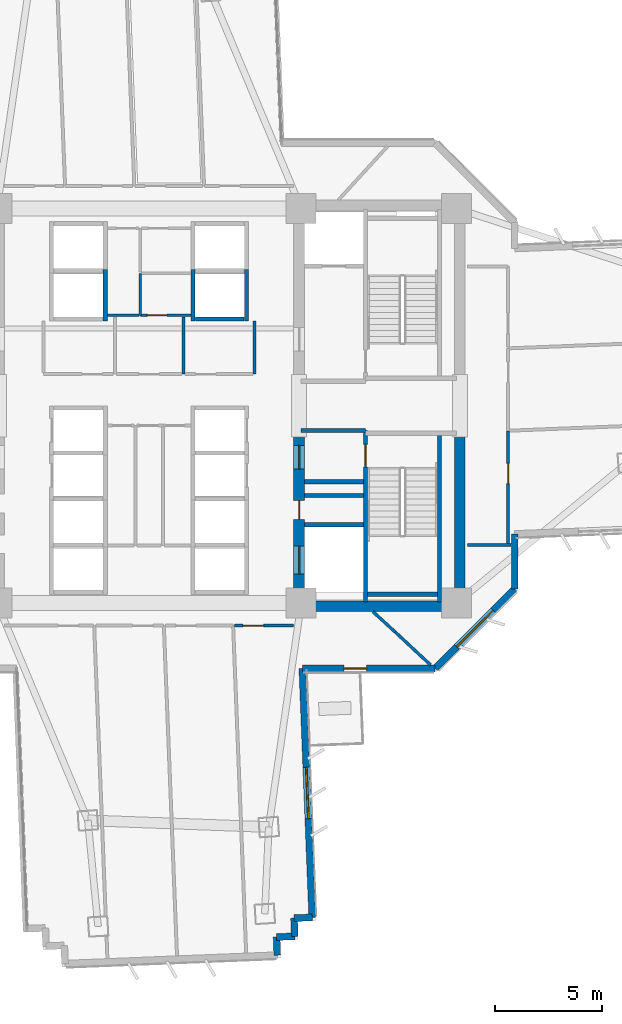
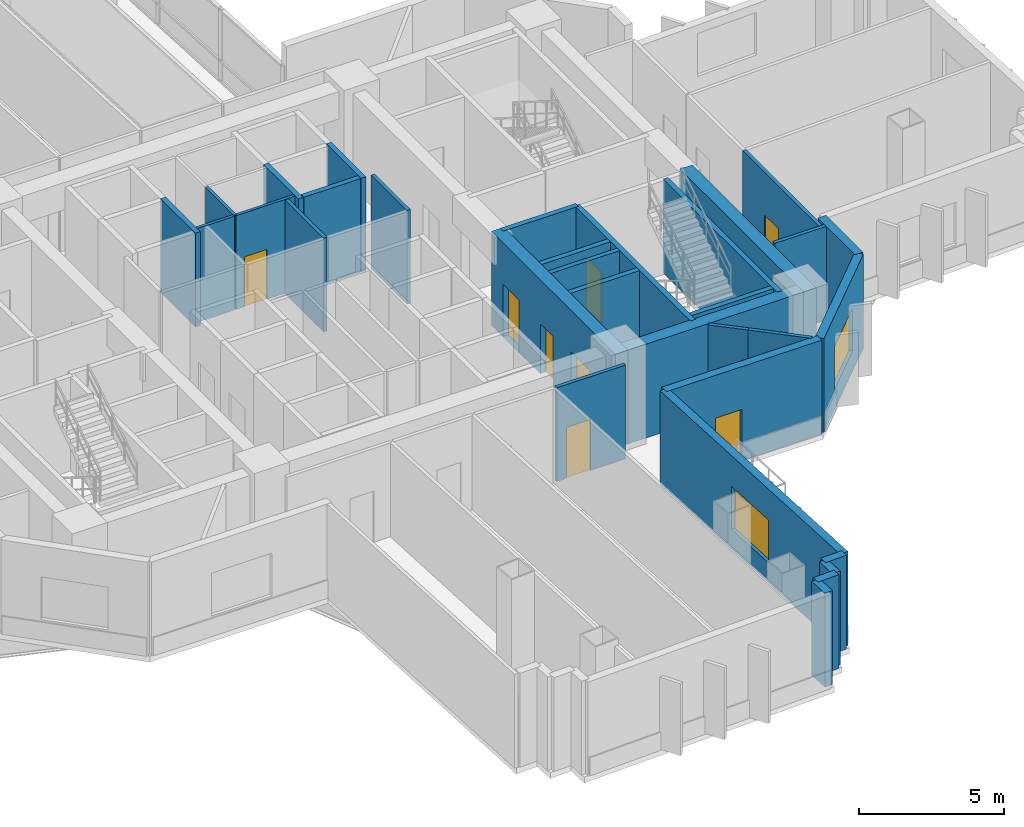
# One storey, part 8 of 16: 32 walls, 8 doors, 2 windows, 10 openings.
"""IFC4 building model written with IfcOpenShell, lengths in metres."""

import ifcopenshell
import ifcopenshell.guid

model = None  # the IFC model being written
_history = None  # IfcOwnerHistory: only IFC2X3 demands one
_inside = {}  # id of a spatial element -> (the spatial element, [elements in it])
_under = {}  # id of a project, library or spatial element -> (it, [spatial elements below it])
_declared = {}  # id of a project -> (the project, [libraries it declares])
_typed = {}  # id of a type object -> (the type object, [elements of that type])
_made_of = {}  # id of a material, layer set ... -> (it, [elements and type objects made of it])


def new_model(schema):
    """Start an empty IFC model of exactly this schema.

    Asked for "IFC4X3", IfcOpenShell would pick the latest addendum, in which some entities
    have other attributes; the version numbers below select the first issue.
    IFC2X3 requires an IfcOwnerHistory on every rooted entity: one is made here for all.
    """
    global model, _history
    if schema == "IFC4X3":
        model = ifcopenshell.file(schema_version=(4, 3, 0, 0))
    else:
        model = ifcopenshell.file(schema=schema)
    _inside.clear()
    _under.clear()
    _declared.clear()
    _typed.clear()
    _made_of.clear()
    _history = None
    if model.schema == "IFC2X3":
        org = make("IfcOrganization", Name="unknown")
        user = make(
            "IfcPersonAndOrganization",
            ThePerson=make("IfcPerson", FamilyName="unknown"),
            TheOrganization=org,
        )
        app = make(
            "IfcApplication",
            ApplicationDeveloper=org,
            Version="unknown",
            ApplicationFullName="unknown",
            ApplicationIdentifier="unknown",
        )
        _history = make(
            "IfcOwnerHistory",
            OwningUser=user,
            OwningApplication=app,
            ChangeAction="ADDED",
            CreationDate=0,
        )
    return model


def make(cls, **values):
    """One entity of the class cls with the attributes given. An attribute that is None is left unset."""
    return model.create_entity(
        cls, **{name: value for name, value in values.items() if value is not None}
    )


def rooted(cls, **values):
    """An entity with a GlobalId (a new one), such as an element, a storey or a relation."""
    return make(cls, GlobalId=ifcopenshell.guid.new(), OwnerHistory=_history, **values)


def si_unit(unit_type, name, prefix=None):
    """IfcSIUnit, for example si_unit("LENGTHUNIT", "METRE", prefix="MILLI")."""
    return make("IfcSIUnit", UnitType=unit_type, Prefix=prefix, Name=name)


def assignment(units):
    """IfcUnitAssignment: the units of a project."""
    return None if units is None else make("IfcUnitAssignment", Units=units)


def point(xyz):
    """IfcCartesianPoint."""
    return None if xyz is None else make("IfcCartesianPoint", Coordinates=xyz)


def direction(xyz):
    """IfcDirection."""
    return None if xyz is None else make("IfcDirection", DirectionRatios=xyz)


def frame(location, z_axis=None, x_axis=None):
    """IfcAxis2Placement3D, a coordinate frame: its origin and axes. An axis left out is left unset."""
    return make(
        "IfcAxis2Placement3D",
        Location=point(location),
        Axis=direction(z_axis),
        RefDirection=direction(x_axis),
    )


def frame_2d(location, x_axis=None):
    """IfcAxis2Placement2D, a coordinate frame in the plane: its origin and x axis."""
    return make(
        "IfcAxis2Placement2D", Location=point(location), RefDirection=direction(x_axis)
    )


def origin():
    """The frame at (0, 0, 0) with its axes left unset."""
    return frame((0.0, 0.0, 0.0))


def place(relative_to, where):
    """IfcLocalPlacement: puts the frame where relative to a parent placement (None: the world)."""
    return make(
        "IfcLocalPlacement", PlacementRelTo=relative_to, RelativePlacement=where
    )


def context(
    kind, dimensions, precision=None, world=None, true_north=None, identifier=None
):
    """IfcGeometricRepresentationContext, for example the 3D "Model" context."""
    return make(
        "IfcGeometricRepresentationContext",
        ContextIdentifier=identifier,
        ContextType=kind,
        CoordinateSpaceDimension=dimensions,
        Precision=precision,
        WorldCoordinateSystem=world,
        TrueNorth=true_north,
    )


def subcontext(parent, identifier, kind, view, scale=None):
    """IfcGeometricRepresentationSubContext, for example "Body" below "Model"."""
    return make(
        "IfcGeometricRepresentationSubContext",
        ContextIdentifier=identifier,
        ContextType=kind,
        ParentContext=parent,
        TargetScale=scale,
        TargetView=view,
    )


def project(units=None, contexts=None):
    """IfcProject with its units and contexts."""
    return rooted(
        "IfcProject",
        Name="project",
        RepresentationContexts=contexts,
        UnitsInContext=assignment(units),
    )


def spatial(cls, under=None, at=None, **own):
    """A site, building, storey or space (cls), placed at a placement, below another one or the project."""
    s = rooted(cls, ObjectPlacement=at, **own)
    if under is not None:
        _under.setdefault(under.id(), (under, []))[1].append(s)
    return s


def profile(cls, at=None, kind="AREA", **sizes):
    """A parametric profile (cls). Its sizes go by their IFC names, for example OverallWidth=200.0."""
    return make(cls, ProfileType=kind, Position=at, **sizes)


def rectangle(**sizes):
    """IfcRectangleProfileDef."""
    return profile("IfcRectangleProfileDef", **sizes)


def extrude(swept, where, along, depth):
    """IfcExtrudedAreaSolid: the profile swept, set in the frame where, extruded along a direction by depth."""
    return make(
        "IfcExtrudedAreaSolid",
        SweptArea=swept,
        Position=where,
        ExtrudedDirection=direction(along),
        Depth=depth,
    )


def shape(context_of_items, identifier, shape_type, items):
    """IfcShapeRepresentation: the items that make up one representation, for example the "Body"."""
    return make(
        "IfcShapeRepresentation",
        ContextOfItems=context_of_items,
        RepresentationIdentifier=identifier,
        RepresentationType=shape_type,
        Items=items,
    )


def source(mapping_origin, context_of_items, identifier, shape_type, items):
    """IfcRepresentationMap: a shape defined once, which mapped items show again and again."""
    return make(
        "IfcRepresentationMap",
        MappingOrigin=mapping_origin,
        MappedRepresentation=shape(context_of_items, identifier, shape_type, items),
    )


def transform(
    local_origin,
    x_axis=None,
    y_axis=None,
    z_axis=None,
    scale=None,
    scale2=None,
    scale3=None,
    uniform=True,
):
    """IfcCartesianTransformationOperator3D, or its non-uniform kind. x_axis, y_axis, z_axis: its Axis1, 2, 3."""
    if uniform:
        return make(
            "IfcCartesianTransformationOperator3D",
            Axis1=direction(x_axis),
            Axis2=direction(y_axis),
            LocalOrigin=point(local_origin),
            Scale=scale,
            Axis3=direction(z_axis),
        )
    return make(
        "IfcCartesianTransformationOperator3DnonUniform",
        Axis1=direction(x_axis),
        Axis2=direction(y_axis),
        LocalOrigin=point(local_origin),
        Scale=scale,
        Axis3=direction(z_axis),
        Scale2=scale2,
        Scale3=scale3,
    )


def mapped(mapping_source, mapping_target):
    """IfcMappedItem: shows the shape of a source again, moved by a transform."""
    return make(
        "IfcMappedItem", MappingSource=mapping_source, MappingTarget=mapping_target
    )


def material(Name=None, Category=None):
    """IfcMaterial."""
    return make("IfcMaterial", Name=Name, Category=Category)


def layer(
    of_material, thickness, ventilated=None, Name=None, Category=None, Priority=None
):
    """IfcMaterialLayer: one layer of a wall or slab, of a material (None: an air gap)."""
    return make(
        "IfcMaterialLayer",
        Material=of_material,
        LayerThickness=thickness,
        IsVentilated=ventilated,
        Name=Name,
        Category=Category,
        Priority=Priority,
    )


def layer_set(layers, Name=None):
    """IfcMaterialLayerSet."""
    return make("IfcMaterialLayerSet", MaterialLayers=layers, LayerSetName=Name)


def made_of(thing, what):
    """Note that an element or type object is made of a material, layer set ...; save() writes the relation."""
    if what is not None:
        _made_of.setdefault(what.id(), (what, []))[1].append(thing)
    return thing


def type_object(cls, material=None, **own):
    """A type object (cls), such as IfcWallType, which elements share."""
    return made_of(rooted(cls, **own), material)


def element(
    cls,
    number,
    at=None,
    inside=None,
    cuts=None,
    type_object=None,
    material=None,
    context=None,
    identifier="Body",
    shape_type=None,
    held_by="IfcProductDefinitionShape",
    body=None,
    shapes=None,
    **own,
):
    """One element of the class cls, such as IfcWall. Its Tag is "e" and its number.

    at: its placement. inside: the storey or other place that contains it. cuts: it is an
    opening in that element (IfcRelVoidsElement). A single representation is given by context,
    identifier, shape_type and body (its items); several are given by shapes. held_by: the class
    of the entity that holds the representations. save() writes the other relations.
    """
    e = rooted(cls, Tag="e%d" % number, ObjectPlacement=at, **own)
    if body is not None:
        shapes = [shape(context, identifier, shape_type, body)]
    if shapes is not None:
        e.Representation = make(held_by, Representations=shapes)
    if inside is not None:
        _inside.setdefault(inside.id(), (inside, []))[1].append(e)
    if cuts is not None:
        rooted(
            "IfcRelVoidsElement", RelatingBuildingElement=cuts, RelatedOpeningElement=e
        )
    if type_object is not None:
        _typed.setdefault(type_object.id(), (type_object, []))[1].append(e)
    return made_of(e, material)


def fill(opening, filler):
    """IfcRelFillsElement: the door or window that sits in an opening."""
    return rooted(
        "IfcRelFillsElement",
        RelatingOpeningElement=opening,
        RelatedBuildingElement=filler,
    )


def aggregate(whole, parts):
    """IfcRelAggregates: a whole, such as a stair, and the parts it consists of."""
    return rooted("IfcRelAggregates", RelatingObject=whole, RelatedObjects=parts)


def save(model, path):
    """Write the relations noted so far, then the file.

    IfcRelAggregates (storeys below a building ...), IfcRelContainedInSpatialStructure (elements
    in a storey), IfcRelDefinesByType, IfcRelAssociatesMaterial and IfcRelDeclares: one each for
    every whole, place, type object, material and project.
    """
    for whole, parts in _under.values():
        aggregate(whole, parts)
    for where, things in _inside.values():
        rooted(
            "IfcRelContainedInSpatialStructure",
            RelatedElements=things,
            RelatingStructure=where,
        )
    for kind, things in _typed.values():
        rooted("IfcRelDefinesByType", RelatedObjects=things, RelatingType=kind)
    for what, things in _made_of.values():
        rooted("IfcRelAssociatesMaterial", RelatedObjects=things, RelatingMaterial=what)
    for by, libraries in _declared.values():
        rooted("IfcRelDeclares", RelatingContext=by, RelatedDefinitions=libraries)
    model.write(path)


model = new_model("IFC4")

# Units and contexts
model_context = context("Model", 3, precision=1e-05, world=origin(), true_north=direction((0.0, 1.0)))
body_context = subcontext(model_context, "Body", "Model", "MODEL_VIEW")
ifc_project = project(units=[si_unit("LENGTHUNIT", "METRE"), si_unit("AREAUNIT", "SQUARE_METRE"), si_unit("VOLUMEUNIT", "CUBIC_METRE"), si_unit("PLANEANGLEUNIT", "RADIAN"), si_unit("MASSUNIT", "GRAM", prefix="KILO")], contexts=[model_context])

# Site, building, storey
site_placement = place(None, origin())
site = spatial("IfcSite", under=ifc_project, at=site_placement, CompositionType="ELEMENT")
building_placement = place(site_placement, origin())
building = spatial("IfcBuilding", under=site, at=building_placement, Name="Zahravan Cultural Tower", CompositionType="ELEMENT")
storey_placement = place(building_placement, frame((0.0, 0.0, 58.5)))
storey = spatial("IfcBuildingStorey", under=building, at=storey_placement, Name="L12", CompositionType="ELEMENT", Elevation=58.5)

# Wall, openings, doors
ifc_material_1 = material(Name="Concrete C60/75", Category="concrete")
ifc_layer_1 = layer(ifc_material_1, 0.5)
ifc_layer_set_1 = layer_set([ifc_layer_1], Name="Concrete C60/75")
wall_type_1 = type_object("IfcWallType", Name="CW-SHEAR-500-C60", PredefinedType="SHEAR", material=ifc_layer_set_1)
wall_1_placement = place(storey_placement, frame((43.0, 17.39990234375, 0.0), z_axis=(0.0, 0.0, 1.0), x_axis=(0.0, 1.0, 0.0)))
wall_1 = element("IfcWall", 1, at=wall_1_placement, inside=storey, type_object=wall_type_1, Name="L12 Core Shear Wall CW-E-WS-L12", PredefinedType="SHEAR", context=body_context, shape_type="SweptSolid", body=[
    extrude(rectangle(XDim=8.550048828125, YDim=0.5, at=frame_2d((4.27490234375, 0.0))), origin(), (0.0, 0.0, 1.0), 3.949951171875),
])
opening_1_placement = place(wall_1_placement, frame((6.64990234375, 0.0, 0.0)))
opening_1 = element("IfcOpeningElement", 2, at=opening_1_placement, cuts=wall_1, Name="Opening D-L12-08", PredefinedType="OPENING", context=body_context, shape_type="SweptSolid", body=[
    extrude(rectangle(XDim=1.10009765625, YDim=2.199951171875, at=frame_2d((0.550048828125, 1.10009765625))), frame((0.0, 0.260009765625, 0.0), z_axis=(0.0, -1.0, 0.0), x_axis=(1.0, 0.0, 0.0)), (0.0, 0.0, 1.0), 0.52001953125),
])
opening_2_placement = place(wall_1_placement, frame((1.75, 0.0, 0.0)))
opening_2 = element("IfcOpeningElement", 3, at=opening_2_placement, cuts=wall_1, Name="Opening LD-L12-03", PredefinedType="OPENING", context=body_context, shape_type="SweptSolid", body=[
    extrude(rectangle(XDim=1.300048828125, YDim=2.199951171875, at=frame_2d((0.64990234375, 1.10009765625))), frame((0.0, 0.260009765625, 0.0), z_axis=(0.0, -1.0, 0.0), x_axis=(1.0, 0.0, 0.0)), (0.0, 0.0, 1.0), 0.52001953125),
])
opening_3_placement = place(wall_1_placement, frame((4.300048828125, 0.0, 0.0)))
opening_3 = element("IfcOpeningElement", 4, at=opening_3_placement, cuts=wall_1, Name="Opening D-L12-12", PredefinedType="OPENING", context=body_context, shape_type="SweptSolid", body=[
    extrude(rectangle(XDim=0.8798828125, YDim=2.10009765625, at=frame_2d((0.43994140625, 1.050048828125))), frame((0.0, 0.260009765625, 0.0), z_axis=(0.0, -1.0, 0.0), x_axis=(1.0, 0.0, 0.0)), (0.0, 0.0, 1.0), 0.52001953125),
])
ifc_material_2 = material(Name="Steel ASTM A572 Grade 50", Category="steel")
door_type_1 = type_object("IfcDoorType", Name="DR-LOBBY-1100", OperationType="NOTDEFINED", PredefinedType="DOOR", material=ifc_material_2)
shared_shape_1 = source(origin(), body_context, "Body", "SweptSolid", [
    extrude(rectangle(XDim=1.10009765625, YDim=2.199951171875, at=frame_2d((0.550048828125, 1.10009765625))), frame((0.0, 0.02490234375, 0.0), z_axis=(0.0, -1.0, 0.0), x_axis=(1.0, 0.0, 0.0)), (0.0, 0.0, 1.0), 0.050048828125),
])
door_1_placement = place(opening_1_placement, origin())
door_1 = element("IfcDoor", 5, at=door_1_placement, inside=storey, type_object=door_type_1, Name="L12 Door D-L12-08", OperationType="SINGLE_SWING_LEFT", OverallHeight=2.199951171875, OverallWidth=1.10009765625, PredefinedType="DOOR", context=body_context, shape_type="MappedRepresentation", body=[
    mapped(shared_shape_1, transform((0.0, 0.0, 0.0), x_axis=(1.0, 0.0, 0.0), y_axis=(0.0, 1.0, 0.0), z_axis=(0.0, 0.0, 1.0), scale=1.0)),
])
fill(opening_1, door_1)
door_type_2 = type_object("IfcDoorType", Name="DR-LIFT-1300", OperationType="DOUBLE_DOOR_SLIDING", PredefinedType="DOOR", material=ifc_material_2)
shared_shape_2 = source(origin(), body_context, "Body", "SweptSolid", [
    extrude(rectangle(XDim=1.300048828125, YDim=2.199951171875, at=frame_2d((0.64990234375, 1.10009765625))), frame((0.0, 0.02490234375, 0.0), z_axis=(0.0, -1.0, 0.0), x_axis=(1.0, 0.0, 0.0)), (0.0, 0.0, 1.0), 0.050048828125),
])
door_2_placement = place(opening_2_placement, origin())
door_2 = element("IfcDoor", 6, at=door_2_placement, inside=storey, type_object=door_type_2, Name="L12 Door LD-L12-03", OperationType="DOUBLE_DOOR_SLIDING", OverallHeight=2.199951171875, OverallWidth=1.300048828125, PredefinedType="DOOR", context=body_context, shape_type="MappedRepresentation", body=[
    mapped(shared_shape_2, transform((0.0, 0.0, 0.0), x_axis=(1.0, 0.0, 0.0), y_axis=(0.0, 1.0, 0.0), z_axis=(0.0, 0.0, 1.0), scale=1.0)),
])
fill(opening_2, door_2)
door_type_3 = type_object("IfcDoorType", Name="DR-SVC-880", OperationType="NOTDEFINED", PredefinedType="DOOR", material=ifc_material_2)
shared_shape_3 = source(origin(), body_context, "Body", "SweptSolid", [
    extrude(rectangle(XDim=0.8798828125, YDim=2.10009765625, at=frame_2d((0.43994140625, 1.050048828125))), frame((0.0, 0.02490234375, 0.0), z_axis=(0.0, -1.0, 0.0), x_axis=(1.0, 0.0, 0.0)), (0.0, 0.0, 1.0), 0.050048828125),
])
door_3_placement = place(opening_3_placement, origin())
door_3 = element("IfcDoor", 7, at=door_3_placement, inside=storey, type_object=door_type_3, Name="L12 Door D-L12-12", OperationType="SINGLE_SWING_LEFT", OverallHeight=2.10009765625, OverallWidth=0.8798828125, PredefinedType="DOOR", context=body_context, shape_type="MappedRepresentation", body=[
    mapped(shared_shape_3, transform((0.0, 0.0, 0.0), x_axis=(1.0, 0.0, 0.0), y_axis=(0.0, 1.0, 0.0), z_axis=(0.0, 0.0, 1.0), scale=1.0)),
])
fill(opening_3, door_3)

# Wall, opening, window
ifc_material_3 = material(Name="Precast concrete C40/50", Category="concrete")
ifc_layer_2 = layer(ifc_material_3, 0.320068359375)
ifc_layer_set_2 = layer_set([ifc_layer_2], Name="Precast concrete C40/50")
wall_type_2 = type_object("IfcWallType", Name="EW-TC-320", PredefinedType="SOLIDWALL", material=ifc_layer_set_2)
wall_2_placement = place(storey_placement, frame((53.06005859375, 18.4580078125, 0.0), z_axis=(0.0, 0.0, 1.0), x_axis=(-0.707106781187, -0.707106781187, 0.0)))
wall_2 = element("IfcWall", 8, at=wall_2_placement, inside=storey, type_object=wall_type_2, Name="L12 Exterior Masonry Frame Wall 13", PredefinedType="SOLIDWALL", context=body_context, shape_type="SweptSolid", body=[
    extrude(rectangle(XDim=5.258056640625, YDim=0.320068359375, at=frame_2d((2.62890625, 0.0))), origin(), (0.0, 0.0, 1.0), 3.949951171875),
])
opening_4_placement = place(wall_2_placement, frame((1.428955078125, 0.0, 0.85009765625)))
opening_4 = element("IfcOpeningElement", 9, at=opening_4_placement, cuts=wall_2, Name="Opening WN-01", PredefinedType="OPENING", context=body_context, shape_type="SweptSolid", body=[
    extrude(rectangle(XDim=2.39990234375, YDim=1.800048828125, at=frame_2d((1.199951171875, 0.89990234375))), frame((0.0, 0.169921875, 0.0), z_axis=(0.0, -1.0, 0.0), x_axis=(1.0, 0.0, 0.0)), (0.0, 0.0, 1.0), 0.340087890625),
])
ifc_material_4 = material(Name="Low-E solar-control double glazing", Category="glass")
window_type = type_object("IfcWindowType", Name="WN-REC-2400X1800", PartitioningType="DOUBLE_PANEL_VERTICAL", PredefinedType="WINDOW", material=ifc_material_4)
shared_shape_4 = source(origin(), body_context, "Body", "SweptSolid", [
    extrude(rectangle(XDim=2.39990234375, YDim=1.800048828125, at=frame_2d((1.199951171875, 0.89990234375))), frame((0.0, 0.030029296875, 0.0), z_axis=(0.0, -1.0, 0.0), x_axis=(1.0, 0.0, 0.0)), (0.0, 0.0, 1.0), 0.06005859375),
])
window_1_placement = place(opening_4_placement, origin())
window_1 = element("IfcWindow", 10, at=window_1_placement, inside=storey, type_object=window_type, Name="L12 Recessed Solar Window 04", OverallHeight=1.800048828125, OverallWidth=2.39990234375, PartitioningType="DOUBLE_PANEL_VERTICAL", PredefinedType="WINDOW", context=body_context, shape_type="MappedRepresentation", body=[
    mapped(shared_shape_4, transform((0.0, 0.0, 0.0), x_axis=(1.0, 0.0, 0.0), y_axis=(0.0, 1.0, 0.0), z_axis=(0.0, 0.0, 1.0), scale=1.0)),
])
fill(opening_4, window_1)

# Wall, opening, door
wall_3_placement = place(storey_placement, frame((49.342041015625, 14.739990234375, 0.0), z_axis=(0.0, 0.0, 1.0), x_axis=(-1.0, 0.0, 0.0)))
wall_3 = element("IfcWall", 11, at=wall_3_placement, inside=storey, type_object=wall_type_2, Name="L12 Exterior Masonry Frame Wall 14", PredefinedType="SOLIDWALL", context=body_context, shape_type="SweptSolid", body=[
    extrude(rectangle(XDim=6.188720703125, YDim=0.320068359375, at=frame_2d((3.09423828125, 0.0))), origin(), (0.0, 0.0, 1.0), 3.949951171875),
])
opening_5_placement = place(wall_3_placement, frame((3.18603515625, 0.0, 0.0)))
opening_5 = element("IfcOpeningElement", 12, at=opening_5_placement, cuts=wall_3, Name="Opening D-L12-TR-SE", PredefinedType="OPENING", context=body_context, shape_type="SweptSolid", body=[
    extrude(rectangle(XDim=1.050048828125, YDim=2.14990234375, at=frame_2d((0.52490234375, 1.074951171875))), frame((0.0, 0.169921875, 0.0), z_axis=(0.0, -1.0, 0.0), x_axis=(1.0, 0.0, 0.0)), (0.0, 0.0, 1.0), 0.340087890625),
])
ifc_material_5 = material(Name="Anodised bronze-aluminium mullion", Category="aluminium")
door_type_4 = type_object("IfcDoorType", Name="DR-TERR-1050", OperationType="NOTDEFINED", PredefinedType="DOOR", material=ifc_material_5)
shared_shape_5 = source(origin(), body_context, "Body", "SweptSolid", [
    extrude(rectangle(XDim=1.050048828125, YDim=2.14990234375, at=frame_2d((0.52490234375, 1.074951171875))), frame((0.0, 0.02490234375, 0.0), z_axis=(0.0, -1.0, 0.0), x_axis=(1.0, 0.0, 0.0)), (0.0, 0.0, 1.0), 0.050048828125),
])
door_4_placement = place(opening_5_placement, origin())
door_4 = element("IfcDoor", 13, at=door_4_placement, inside=storey, type_object=door_type_4, Name="L12 Terrace Access Door SE", OperationType="SINGLE_SWING_LEFT", OverallHeight=2.14990234375, OverallWidth=1.050048828125, PredefinedType="DOOR", context=body_context, shape_type="MappedRepresentation", body=[
    mapped(shared_shape_5, transform((0.0, 0.0, 0.0), x_axis=(1.0, 0.0, 0.0), y_axis=(0.0, 1.0, 0.0), z_axis=(0.0, 0.0, 1.0), scale=1.0)),
])
fill(opening_5, door_4)

# Wall, opening, window
wall_4_placement = place(storey_placement, frame((43.1533203125, 14.739990234375, 0.0), z_axis=(0.0, 0.0, 1.0), x_axis=(0.039775975357, -0.999208622753, 0.0)))
wall_4 = element("IfcWall", 14, at=wall_4_placement, inside=storey, type_object=wall_type_2, Name="L12 Exterior Masonry Frame Wall 15", PredefinedType="SOLIDWALL", context=body_context, shape_type="SweptSolid", body=[
    extrude(rectangle(XDim=11.625244140625, YDim=0.320068359375, at=frame_2d((5.8125, 0.0))), origin(), (0.0, 0.0, 1.0), 3.949951171875),
])
opening_6_placement = place(wall_4_placement, frame((4.613037109375, 0.0, 0.85009765625)))
opening_6 = element("IfcOpeningElement", 15, at=opening_6_placement, cuts=wall_4, Name="Opening WN-01", PredefinedType="OPENING", context=body_context, shape_type="SweptSolid", body=[
    extrude(rectangle(XDim=2.39990234375, YDim=1.800048828125, at=frame_2d((1.199951171875, 0.89990234375))), frame((0.0, 0.169921875, 0.0), z_axis=(0.0, -1.0, 0.0), x_axis=(1.0, 0.0, 0.0)), (0.0, 0.0, 1.0), 0.340087890625),
])
window_2_placement = place(opening_6_placement, origin())
window_2 = element("IfcWindow", 16, at=window_2_placement, inside=storey, type_object=window_type, Name="L12 Recessed Solar Window 05", OverallHeight=1.800048828125, OverallWidth=2.39990234375, PartitioningType="DOUBLE_PANEL_VERTICAL", PredefinedType="WINDOW", context=body_context, shape_type="MappedRepresentation", body=[
    mapped(shared_shape_4, transform((0.0, 0.0, 0.0), x_axis=(1.0, 0.0, 0.0), y_axis=(0.0, 1.0, 0.0), z_axis=(0.0, 0.0, 1.0), scale=1.0)),
])
fill(opening_6, window_2)

# Wall, opening, door
ifc_material_6 = material(Name="Gypsum plasterboard partition")
ifc_layer_3 = layer(ifc_material_6, 0.139892578125)
ifc_layer_set_3 = layer_set([ifc_layer_3], Name="Gypsum plasterboard partition")
wall_type_3 = type_object("IfcWallType", Name="W-PART-140", PredefinedType="PARTITIONING", material=ifc_layer_set_3)
wall_5_placement = place(storey_placement, frame((39.996337890625, 16.739990234375, 0.0), z_axis=(0.0, 0.0, 1.0), x_axis=(0.999999996048, 8.8904694e-05, 0.0)))
wall_5 = element("IfcWall", 17, at=wall_5_placement, inside=storey, type_object=wall_type_3, Name="L12 Interior Wall 109", PredefinedType="PARTITIONING", context=body_context, shape_type="SweptSolid", body=[
    extrude(rectangle(XDim=2.74609375, YDim=0.139892578125, at=frame_2d((1.373046875, 0.0))), origin(), (0.0, 0.0, 1.0), 3.949951171875),
])
opening_7_placement = place(wall_5_placement, frame((0.39501953125, 0.0, 0.0)))
opening_7 = element("IfcOpeningElement", 18, at=opening_7_placement, cuts=wall_5, Name="Opening D-L12-34", PredefinedType="OPENING", context=body_context, shape_type="SweptSolid", body=[
    extrude(rectangle(XDim=0.949951171875, YDim=2.14990234375, at=frame_2d((0.47509765625, 1.074951171875))), frame((0.0, 0.079833984375, 0.0), z_axis=(0.0, -1.0, 0.0), x_axis=(1.0, 0.0, 0.0)), (0.0, 0.0, 1.0), 0.159912109375),
])
door_type_5 = type_object("IfcDoorType", Name="DR-ROOM-950", OperationType="NOTDEFINED", PredefinedType="DOOR", material=ifc_material_5)
shared_shape_6 = source(origin(), body_context, "Body", "SweptSolid", [
    extrude(rectangle(XDim=0.949951171875, YDim=2.14990234375, at=frame_2d((0.47509765625, 1.074951171875))), frame((0.0, 0.02490234375, 0.0), z_axis=(0.0, -1.0, 0.0), x_axis=(1.0, 0.0, 0.0)), (0.0, 0.0, 1.0), 0.050048828125),
])
door_5_placement = place(opening_7_placement, origin())
door_5 = element("IfcDoor", 19, at=door_5_placement, inside=storey, type_object=door_type_5, Name="L12 Door D-L12-34", OperationType="SINGLE_SWING_LEFT", OverallHeight=2.14990234375, OverallWidth=0.949951171875, PredefinedType="DOOR", context=body_context, shape_type="MappedRepresentation", body=[
    mapped(shared_shape_6, transform((0.0, 0.0, 0.0), x_axis=(1.0, 0.0, 0.0), y_axis=(0.0, 1.0, 0.0), z_axis=(0.0, 0.0, 1.0), scale=1.0)),
])
fill(opening_7, door_5)

wall_6_placement = place(storey_placement, frame((52.75, 20.574951171875, 0.0), z_axis=(0.0, 0.0, 1.0), x_axis=(0.0, 1.0, 0.0)))
wall_6 = element("IfcWall", 20, at=wall_6_placement, inside=storey, type_object=wall_type_3, Name="L12 Interior Wall 117", PredefinedType="PARTITIONING", context=body_context, shape_type="SweptSolid", body=[
    extrude(rectangle(XDim=5.240478515625, YDim=0.139892578125, at=frame_2d((2.6201171875, 0.0))), origin(), (0.0, 0.0, 1.0), 3.949951171875),
])
opening_8_placement = place(wall_6_placement, frame((2.788818359375, 0.0, 0.0)))
opening_8 = element("IfcOpeningElement", 21, at=opening_8_placement, cuts=wall_6, Name="Opening D-L12-21", PredefinedType="OPENING", context=body_context, shape_type="SweptSolid", body=[
    extrude(rectangle(XDim=0.949951171875, YDim=2.14990234375, at=frame_2d((0.47509765625, 1.074951171875))), frame((0.0, 0.079833984375, 0.0), z_axis=(0.0, -1.0, 0.0), x_axis=(1.0, 0.0, 0.0)), (0.0, 0.0, 1.0), 0.159912109375),
])
door_6_placement = place(opening_8_placement, origin())
door_6 = element("IfcDoor", 22, at=door_6_placement, inside=storey, type_object=door_type_5, Name="L12 Door D-L12-21", OperationType="SINGLE_SWING_RIGHT", OverallHeight=2.14990234375, OverallWidth=0.949951171875, PredefinedType="DOOR", context=body_context, shape_type="MappedRepresentation", body=[
    mapped(shared_shape_6, transform((0.0, 0.0, 0.0), x_axis=(1.0, 0.0, 0.0), y_axis=(0.0, 1.0, 0.0), z_axis=(0.0, 0.0, 1.0), scale=1.0)),
])
fill(opening_8, door_6)

ifc_material_7 = material(Name="Concrete C45/55", Category="concrete")
ifc_layer_4 = layer(ifc_material_7, 0.199951171875)
ifc_layer_set_4 = layer_set([ifc_layer_4], Name="Concrete C45/55")
wall_type_4 = type_object("IfcWallType", Name="W-SHAFT-200", PredefinedType="SOLIDWALL", material=ifc_layer_set_4)
wall_7_placement = place(storey_placement, frame((46.10009765625, 17.85009765625, 0.0), z_axis=(0.0, 0.0, 1.0), x_axis=(0.0, 1.0, 0.0)))
wall_7 = element("IfcWall", 23, at=wall_7_placement, inside=storey, type_object=wall_type_4, Name="L12 Interior Wall 007", PredefinedType="SOLIDWALL", context=body_context, shape_type="SweptSolid", body=[
    extrude(rectangle(XDim=8.0, YDim=0.199951171875, at=frame_2d((4.0, 0.0))), origin(), (0.0, 0.0, 1.0), 3.949951171875),
])
opening_9_placement = place(wall_7_placement, frame((6.300048828125, 0.0, 0.0)))
opening_9 = element("IfcOpeningElement", 24, at=opening_9_placement, cuts=wall_7, Name="Opening D-L12-03", PredefinedType="OPENING", context=body_context, shape_type="SweptSolid", body=[
    extrude(rectangle(XDim=1.050048828125, YDim=2.14990234375, at=frame_2d((0.52490234375, 1.074951171875))), frame((0.0, 0.10986328125, 0.0), z_axis=(0.0, -1.0, 0.0), x_axis=(1.0, 0.0, 0.0)), (0.0, 0.0, 1.0), 0.219970703125),
])
door_type_6 = type_object("IfcDoorType", Name="DR-STAIR-1050", OperationType="NOTDEFINED", PredefinedType="DOOR", material=ifc_material_2)
door_7_placement = place(opening_9_placement, origin())
door_7 = element("IfcDoor", 25, at=door_7_placement, inside=storey, type_object=door_type_6, Name="L12 Door D-L12-03", OperationType="SINGLE_SWING_RIGHT", OverallHeight=2.14990234375, OverallWidth=1.050048828125, PredefinedType="DOOR", context=body_context, shape_type="MappedRepresentation", body=[
    mapped(shared_shape_5, transform((0.0, 0.0, 0.0), x_axis=(1.0, 0.0, 0.0), y_axis=(0.0, 1.0, 0.0), z_axis=(0.0, 0.0, 1.0), scale=1.0)),
])
fill(opening_9, door_7)

ifc_layer_5 = layer(ifc_material_6, 0.114990234375)
ifc_layer_set_5 = layer_set([ifc_layer_5], Name="Gypsum plasterboard partition")
wall_type_5 = type_object("IfcWallType", Name="W-WC-115", PredefinedType="PARTITIONING", material=ifc_layer_set_5)
wall_8_placement = place(storey_placement, frame((37.945068359375, 31.219970703125, 0.0), z_axis=(0.0, 0.0, 1.0), x_axis=(-1.0, 0.0, 0.0)))
wall_8 = element("IfcWall", 26, at=wall_8_placement, inside=storey, type_object=wall_type_5, Name="L12 Interior Wall 069", PredefinedType="PARTITIONING", context=body_context, shape_type="SweptSolid", body=[
    extrude(rectangle(XDim=2.35498046875, YDim=0.114990234375, at=frame_2d((1.177490234375, 0.0))), origin(), (0.0, 0.0, 1.0), 3.949951171875),
])
opening_10_placement = place(wall_8_placement, frame((1.120849609375, 0.0, 0.0)))
opening_10 = element("IfcOpeningElement", 27, at=opening_10_placement, cuts=wall_8, Name="Opening D-L12-35", PredefinedType="OPENING", context=body_context, shape_type="SweptSolid", body=[
    extrude(rectangle(XDim=0.89990234375, YDim=2.10009765625, at=frame_2d((0.449951171875, 1.050048828125))), frame((0.0, 0.0673828125, 0.0), z_axis=(0.0, -1.0, 0.0), x_axis=(1.0, 0.0, 0.0)), (0.0, 0.0, 1.0), 0.135009765625),
])
door_type_7 = type_object("IfcDoorType", Name="DR-WC-900", OperationType="NOTDEFINED", PredefinedType="DOOR", material=ifc_material_5)
shared_shape_7 = source(origin(), body_context, "Body", "SweptSolid", [
    extrude(rectangle(XDim=0.89990234375, YDim=2.10009765625, at=frame_2d((0.449951171875, 1.050048828125))), frame((0.0, 0.02490234375, 0.0), z_axis=(0.0, -1.0, 0.0), x_axis=(1.0, 0.0, 0.0)), (0.0, 0.0, 1.0), 0.050048828125),
])
door_8_placement = place(opening_10_placement, origin())
door_8 = element("IfcDoor", 28, at=door_8_placement, inside=storey, type_object=door_type_7, Name="L12 Door D-L12-35", OperationType="SINGLE_SWING_RIGHT", OverallHeight=2.10009765625, OverallWidth=0.89990234375, PredefinedType="DOOR", context=body_context, shape_type="MappedRepresentation", body=[
    mapped(shared_shape_7, transform((0.0, 0.0, 0.0), x_axis=(1.0, 0.0, 0.0), y_axis=(0.0, 1.0, 0.0), z_axis=(0.0, 0.0, 1.0), scale=1.0)),
])
fill(opening_10, door_8)

# Walls
shared_shape_8 = source(origin(), body_context, "Body", "SweptSolid", [
    extrude(rectangle(XDim=8.550048828125, YDim=0.5, at=frame_2d((4.27490234375, 0.0))), origin(), (0.0, 0.0, 1.0), 3.949951171875),
])
wall_9_placement = place(storey_placement, frame((50.5, 17.39990234375, 0.0), z_axis=(0.0, 0.0, 1.0), x_axis=(0.0, 1.0, 0.0)))
element("IfcWall", 29, at=wall_9_placement, inside=storey, type_object=wall_type_1, Name="L12 Core Shear Wall CW-E-ES-L12", PredefinedType="SHEAR", context=body_context, shape_type="MappedRepresentation", body=[
    mapped(shared_shape_8, transform((0.0, 0.0, 0.0), x_axis=(1.0, 0.0, 0.0), y_axis=(0.0, 1.0, 0.0), z_axis=(0.0, 0.0, 1.0), scale=1.0)),
])
shared_shape_9 = source(origin(), body_context, "Body", "SweptSolid", [
    extrude(rectangle(XDim=7.0, YDim=0.5, at=frame_2d((3.5, 0.0))), origin(), (0.0, 0.0, 1.0), 3.949951171875),
])
wall_10_placement = place(storey_placement, frame((43.25, 17.64990234375, 0.0), z_axis=(0.0, 0.0, 1.0), x_axis=(1.0, 0.0, 0.0)))
element("IfcWall", 30, at=wall_10_placement, inside=storey, type_object=wall_type_1, Name="L12 Core Shear Wall CW-E-S-L12", PredefinedType="SHEAR", context=body_context, shape_type="MappedRepresentation", body=[
    mapped(shared_shape_9, transform((0.0, 0.0, 0.0), x_axis=(1.0, 0.0, 0.0), y_axis=(0.0, 1.0, 0.0), z_axis=(0.0, 0.0, 1.0), scale=1.0)),
])
shared_shape_10 = source(origin(), body_context, "Body", "SweptSolid", [
    extrude(rectangle(XDim=0.849853515625, YDim=0.320068359375, at=frame_2d((0.4248046875, 0.0))), origin(), (0.0, 0.0, 1.0), 3.949951171875),
])
for number, where, z_axis, x_axis, name in (
    (31, (43.61572265625, 3.1240234375, 0.0), (0.0, 0.0, 1.0), (-0.999202334929, -0.039933618331, 0.0), "L12 Exterior Masonry Frame Wall 16"),
    (32, (42.7666015625, 3.090087890625, 0.0), (0.0, 0.0, 1.0), (0.039646779332, -0.999213757356, 0.0), "L12 Exterior Masonry Frame Wall 17"),
    (33, (41.950927734375, 2.20703125, 0.0), (0.0, 0.0, 1.0), (0.039933618331, -0.999202334929, 0.0), "L12 Exterior Masonry Frame Wall 19"),
):
    element("IfcWall", number, at=place(storey_placement, frame(where, z_axis=z_axis, x_axis=x_axis)), inside=storey, type_object=wall_type_2, Name=name, PredefinedType="SOLIDWALL", context=body_context, shape_type="MappedRepresentation", body=[
        mapped(shared_shape_10, transform((0.0, 0.0, 0.0), x_axis=(1.0, 0.0, 0.0), y_axis=(0.0, 1.0, 0.0), z_axis=(0.0, 0.0, 1.0), scale=1.0)),
    ])
shared_shape_11 = source(origin(), body_context, "Body", "SweptSolid", [
    extrude(rectangle(XDim=0.85009765625, YDim=0.320068359375, at=frame_2d((0.425048828125, 0.0))), origin(), (0.0, 0.0, 1.0), 3.949951171875),
])
wall_11_placement = place(storey_placement, frame((42.80029296875, 2.240966796875, 0.0), z_axis=(0.0, 0.0, 1.0), x_axis=(-0.999202792875, -0.039922158152, 0.0)))
element("IfcWall", 34, at=wall_11_placement, inside=storey, type_object=wall_type_2, Name="L12 Exterior Masonry Frame Wall 18", PredefinedType="SOLIDWALL", context=body_context, shape_type="MappedRepresentation", body=[
    mapped(shared_shape_11, transform((0.0, 0.0, 0.0), x_axis=(1.0, 0.0, 0.0), y_axis=(0.0, 1.0, 0.0), z_axis=(0.0, 0.0, 1.0), scale=1.0)),
])
shared_shape_12 = source(origin(), body_context, "Body", "SweptSolid", [
    extrude(rectangle(XDim=2.555908203125, YDim=0.320068359375, at=frame_2d((1.27783203125, 0.0))), origin(), (0.0, 0.0, 1.0), 3.949951171875),
])
wall_12_placement = place(storey_placement, frame((53.06005859375, 21.013916015625, 0.0), z_axis=(0.0, 0.0, 1.0), x_axis=(0.0, -1.0, 0.0)))
element("IfcWall", 35, at=wall_12_placement, inside=storey, type_object=wall_type_2, Name="L12 Exterior Masonry Frame Wall 12", PredefinedType="SOLIDWALL", context=body_context, shape_type="MappedRepresentation", body=[
    mapped(shared_shape_12, transform((0.0, 0.0, 0.0), x_axis=(1.0, 0.0, 0.0), y_axis=(0.0, 1.0, 0.0), z_axis=(0.0, 0.0, 1.0), scale=1.0)),
])
shared_shape_13 = source(origin(), body_context, "Body", "SweptSolid", [
    extrude(rectangle(XDim=7.869873046875, YDim=0.199951171875, at=frame_2d((3.93505859375, 0.0))), origin(), (0.0, 0.0, 1.0), 3.949951171875),
])
wall_13_placement = place(storey_placement, frame((49.550048828125, 17.85009765625, 0.0), z_axis=(0.0, 0.0, 1.0), x_axis=(0.0, 1.0, 0.0)))
element("IfcWall", 36, at=wall_13_placement, inside=storey, type_object=wall_type_4, Name="L12 Interior Wall 003", PredefinedType="SOLIDWALL", context=body_context, shape_type="MappedRepresentation", body=[
    mapped(shared_shape_13, transform((0.0, 0.0, 0.0), x_axis=(1.0, 0.0, 0.0), y_axis=(0.0, 1.0, 0.0), z_axis=(0.0, 0.0, 1.0), scale=1.0)),
])
shared_shape_14 = source(origin(), body_context, "Body", "SweptSolid", [
    extrude(rectangle(XDim=3.0, YDim=0.199951171875, at=frame_2d((1.5, 0.0))), origin(), (0.0, 0.0, 1.0), 3.949951171875),
])
wall_14_placement = place(storey_placement, frame((43.10009765625, 25.85009765625, 0.0), z_axis=(0.0, 0.0, 1.0), x_axis=(1.0, 0.0, 0.0)))
element("IfcWall", 37, at=wall_14_placement, inside=storey, type_object=wall_type_4, Name="L12 Interior Wall 013", PredefinedType="SOLIDWALL", context=body_context, shape_type="MappedRepresentation", body=[
    mapped(shared_shape_14, transform((0.0, 0.0, 0.0), x_axis=(1.0, 0.0, 0.0), y_axis=(0.0, 1.0, 0.0), z_axis=(0.0, 0.0, 1.0), scale=1.0)),
])
shared_shape_15 = source(origin(), body_context, "Body", "SweptSolid", [
    extrude(rectangle(XDim=3.25, YDim=0.199951171875, at=frame_2d((1.625, 0.0))), origin(), (0.0, 0.0, 1.0), 3.949951171875),
])
wall_15_placement = place(storey_placement, frame((46.199951171875, 18.199951171875, 0.0), z_axis=(0.0, 0.0, 1.0), x_axis=(1.0, 0.0, 0.0)))
element("IfcWall", 38, at=wall_15_placement, inside=storey, type_object=wall_type_4, Name="L12 Interior Wall 020", PredefinedType="SOLIDWALL", context=body_context, shape_type="MappedRepresentation", body=[
    mapped(shared_shape_15, transform((0.0, 0.0, 0.0), x_axis=(1.0, 0.0, 0.0), y_axis=(0.0, 1.0, 0.0), z_axis=(0.0, 0.0, 1.0), scale=1.0)),
])
shared_shape_16 = source(origin(), body_context, "Body", "SweptSolid", [
    extrude(rectangle(XDim=2.75, YDim=0.199951171875, at=frame_2d((1.375, 0.0))), origin(), (0.0, 0.0, 1.0), 3.949951171875),
])
for number, where, z_axis, x_axis, name in (
    (39, (43.25, 23.449951171875, 0.0), (0.0, 0.0, 1.0), (1.0, 0.0, 0.0), "L12 Interior Wall 024"),
    (40, (43.25, 21.449951171875, 0.0), (0.0, 0.0, 1.0), (1.0, 0.0, 0.0), "L12 Interior Wall 025"),
):
    element("IfcWall", number, at=place(storey_placement, frame(where, z_axis=z_axis, x_axis=x_axis)), inside=storey, type_object=wall_type_4, Name=name, PredefinedType="SOLIDWALL", context=body_context, shape_type="MappedRepresentation", body=[
        mapped(shared_shape_16, transform((0.0, 0.0, 0.0), x_axis=(1.0, 0.0, 0.0), y_axis=(0.0, 1.0, 0.0), z_axis=(0.0, 0.0, 1.0), scale=1.0)),
    ])
shared_shape_17 = source(origin(), body_context, "Body", "SweptSolid", [
    extrude(rectangle(XDim=2.400146484375, YDim=0.199951171875, at=frame_2d((1.2001953125, 0.0))), origin(), (0.0, 0.0, 1.0), 3.949951171875),
])
for number, where, z_axis, x_axis, name in (
    (41, (33.949951171875, 30.949951171875, 0.0), (0.0, 0.0, 1.0), (0.0, 1.0, 0.0), "L12 Interior Wall 034"),
    (42, (38.050048828125, 30.949951171875, 0.0), (0.0, 0.0, 1.0), (0.0, 1.0, 0.0), "L12 Interior Wall 040"),
    (43, (40.550048828125, 30.949951171875, 0.0), (0.0, 0.0, 1.0), (0.0, 1.0, 0.0), "L12 Interior Wall 041"),
):
    element("IfcWall", number, at=place(storey_placement, frame(where, z_axis=z_axis, x_axis=x_axis)), inside=storey, type_object=wall_type_4, Name=name, PredefinedType="SOLIDWALL", context=body_context, shape_type="MappedRepresentation", body=[
        mapped(shared_shape_17, transform((0.0, 0.0, 0.0), x_axis=(1.0, 0.0, 0.0), y_axis=(0.0, 1.0, 0.0), z_axis=(0.0, 0.0, 1.0), scale=1.0)),
    ])
shared_shape_18 = source(origin(), body_context, "Body", "SweptSolid", [
    extrude(rectangle(XDim=2.260009765625, YDim=0.199951171875, at=frame_2d((1.1298828125, 0.0))), origin(), (0.0, 0.0, 1.0), 3.949951171875),
])
wall_16_placement = place(storey_placement, frame((38.169921875, 31.050048828125, 0.0), z_axis=(0.0, 0.0, 1.0), x_axis=(1.0, 0.0, 0.0)))
element("IfcWall", 44, at=wall_16_placement, inside=storey, type_object=wall_type_4, Name="L12 Interior Wall 042", PredefinedType="SOLIDWALL", context=body_context, shape_type="MappedRepresentation", body=[
    mapped(shared_shape_18, transform((0.0, 0.0, 0.0), x_axis=(1.0, 0.0, 0.0), y_axis=(0.0, 1.0, 0.0), z_axis=(0.0, 0.0, 1.0), scale=1.0)),
])
shared_shape_19 = source(origin(), body_context, "Body", "SweptSolid", [
    extrude(rectangle(XDim=2.469970703125, YDim=0.139892578125, at=frame_2d((1.23486328125, 0.0))), origin(), (0.0, 0.0, 1.0), 3.949951171875),
])
wall_17_placement = place(storey_placement, frame((40.919921875, 30.949951171875, 0.0), z_axis=(0.0, 0.0, 1.0), x_axis=(0.0, -1.0, 0.0)))
element("IfcWall", 45, at=wall_17_placement, inside=storey, type_object=wall_type_3, Name="L12 Interior Wall 089", PredefinedType="PARTITIONING", context=body_context, shape_type="MappedRepresentation", body=[
    mapped(shared_shape_19, transform((0.0, 0.0, 0.0), x_axis=(1.0, 0.0, 0.0), y_axis=(0.0, 1.0, 0.0), z_axis=(0.0, 0.0, 1.0), scale=1.0)),
])
ifc_layer_6 = layer(ifc_material_6, 0.179931640625)
ifc_layer_set_6 = layer_set([ifc_layer_6], Name="Gypsum plasterboard partition")
wall_type_6 = type_object("IfcWallType", Name="W-COMP-180", PredefinedType="PARTITIONING", material=ifc_layer_set_6)
shared_shape_20 = source(origin(), body_context, "Body", "SweptSolid", [
    extrude(rectangle(XDim=2.75, YDim=0.179931640625, at=frame_2d((1.375, 0.0))), origin(), (0.0, 0.0, 1.0), 3.949951171875),
])
wall_18_placement = place(storey_placement, frame((43.25, 22.820068359375, 0.0), z_axis=(0.0, 0.0, 1.0), x_axis=(1.0, 0.0, 0.0)))
element("IfcWall", 46, at=wall_18_placement, inside=storey, type_object=wall_type_6, Name="L12 Interior Wall 028", PredefinedType="PARTITIONING", context=body_context, shape_type="MappedRepresentation", body=[
    mapped(shared_shape_20, transform((0.0, 0.0, 0.0), x_axis=(1.0, 0.0, 0.0), y_axis=(0.0, 1.0, 0.0), z_axis=(0.0, 0.0, 1.0), scale=1.0)),
])
shared_shape_21 = source(origin(), body_context, "Body", "SweptSolid", [
    extrude(rectangle(XDim=1.9599609375, YDim=0.114990234375, at=frame_2d((0.97998046875, 0.0))), origin(), (0.0, 0.0, 1.0), 3.949951171875),
])
wall_19_placement = place(storey_placement, frame((35.590087890625, 31.219970703125, 0.0), z_axis=(0.0, 0.0, 1.0), x_axis=(0.0, 1.0, 0.0)))
element("IfcWall", 47, at=wall_19_placement, inside=storey, type_object=wall_type_5, Name="L12 Interior Wall 070", PredefinedType="PARTITIONING", context=body_context, shape_type="MappedRepresentation", body=[
    mapped(shared_shape_21, transform((0.0, 0.0, 0.0), x_axis=(1.0, 0.0, 0.0), y_axis=(0.0, 1.0, 0.0), z_axis=(0.0, 0.0, 1.0), scale=1.0)),
])
shared_shape_22 = source(origin(), body_context, "Body", "SweptSolid", [
    extrude(rectangle(XDim=1.47265625, YDim=0.114990234375, at=frame_2d((0.736328125, 0.0))), origin(), (0.0, 0.0, 1.0), 3.949951171875),
])
wall_20_placement = place(storey_placement, frame((35.527587890625, 31.219970703125, 0.0), z_axis=(0.0, 0.0, 1.0), x_axis=(-1.0, 0.0, 0.0)))
element("IfcWall", 48, at=wall_20_placement, inside=storey, type_object=wall_type_5, Name="L12 Interior Wall 074", PredefinedType="PARTITIONING", context=body_context, shape_type="MappedRepresentation", body=[
    mapped(shared_shape_22, transform((0.0, 0.0, 0.0), x_axis=(1.0, 0.0, 0.0), y_axis=(0.0, 1.0, 0.0), z_axis=(0.0, 0.0, 1.0), scale=1.0)),
])
shared_shape_23 = source(origin(), body_context, "Body", "SweptSolid", [
    extrude(rectangle(XDim=2.659912109375, YDim=0.139892578125, at=frame_2d((1.330078125, 0.0))), origin(), (0.0, 0.0, 1.0), 3.949951171875),
])
wall_21_placement = place(storey_placement, frame((37.60009765625, 31.139892578125, 0.0), z_axis=(0.0, 0.0, 1.0), x_axis=(0.0, -1.0, 0.0)))
element("IfcWall", 49, at=wall_21_placement, inside=storey, type_object=wall_type_3, Name="L12 Interior Wall 085", PredefinedType="PARTITIONING", context=body_context, shape_type="MappedRepresentation", body=[
    mapped(shared_shape_23, transform((0.0, 0.0, 0.0), x_axis=(1.0, 0.0, 0.0), y_axis=(0.0, 1.0, 0.0), z_axis=(0.0, 0.0, 1.0), scale=1.0)),
])
shared_shape_24 = source(origin(), body_context, "Body", "SweptSolid", [
    extrude(rectangle(XDim=1.416748046875, YDim=0.139892578125, at=frame_2d((0.70849609375, 0.0))), origin(), (0.0, 0.0, 1.0), 3.949951171875),
])
wall_22_placement = place(storey_placement, frame((46.443359375, 17.39501953125, 0.0), z_axis=(0.0, 0.0, 1.0), x_axis=(0.737776192982, -0.675045397784, 0.0)))
element("IfcWall", 50, at=wall_22_placement, inside=storey, type_object=wall_type_3, Name="L12 Interior Wall 110", PredefinedType="PARTITIONING", context=body_context, shape_type="MappedRepresentation", body=[
    mapped(shared_shape_24, transform((0.0, 0.0, 0.0), x_axis=(1.0, 0.0, 0.0), y_axis=(0.0, 1.0, 0.0), z_axis=(0.0, 0.0, 1.0), scale=1.0)),
])
shared_shape_25 = source(origin(), body_context, "Body", "SweptSolid", [
    extrude(rectangle(XDim=2.24951171875, YDim=0.139892578125, at=frame_2d((1.124755859375, 0.0))), origin(), (0.0, 0.0, 1.0), 3.949951171875),
])
wall_23_placement = place(storey_placement, frame((47.488525390625, 16.438720703125, 0.0), z_axis=(0.0, 0.0, 1.0), x_axis=(0.731524295554, -0.68181537458, 0.0)))
element("IfcWall", 51, at=wall_23_placement, inside=storey, type_object=wall_type_3, Name="L12 Interior Wall 111", PredefinedType="PARTITIONING", context=body_context, shape_type="MappedRepresentation", body=[
    mapped(shared_shape_25, transform((0.0, 0.0, 0.0), x_axis=(1.0, 0.0, 0.0), y_axis=(0.0, 1.0, 0.0), z_axis=(0.0, 0.0, 1.0), scale=1.0)),
])
shared_shape_26 = source(origin(), body_context, "Body", "SweptSolid", [
    extrude(rectangle(XDim=2.04931640625, YDim=0.139892578125, at=frame_2d((1.024658203125, 0.0))), origin(), (0.0, 0.0, 1.0), 3.949951171875),
])
wall_24_placement = place(storey_placement, frame((50.8505859375, 20.50341796875, 0.0), z_axis=(0.0, 0.0, 1.0), x_axis=(0.999998403336, -0.001786987854, 0.0)))
element("IfcWall", 52, at=wall_24_placement, inside=storey, type_object=wall_type_3, Name="L12 Interior Wall 116", PredefinedType="PARTITIONING", context=body_context, shape_type="MappedRepresentation", body=[
    mapped(shared_shape_26, transform((0.0, 0.0, 0.0), x_axis=(1.0, 0.0, 0.0), y_axis=(0.0, 1.0, 0.0), z_axis=(0.0, 0.0, 1.0), scale=1.0)),
])

save(model, "model.ifc")
